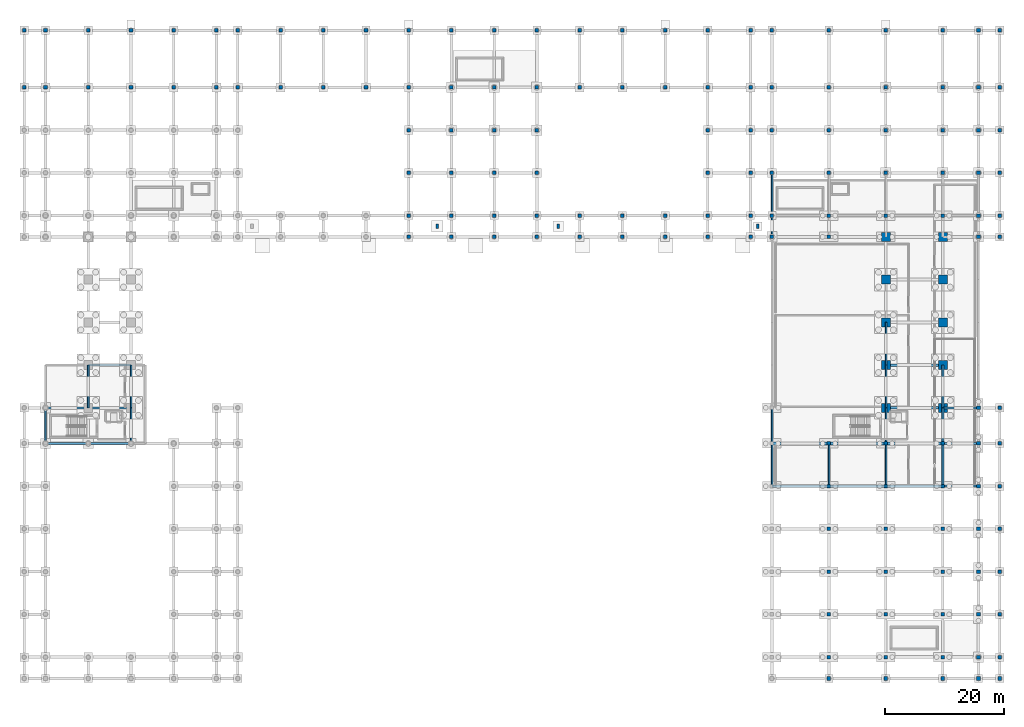
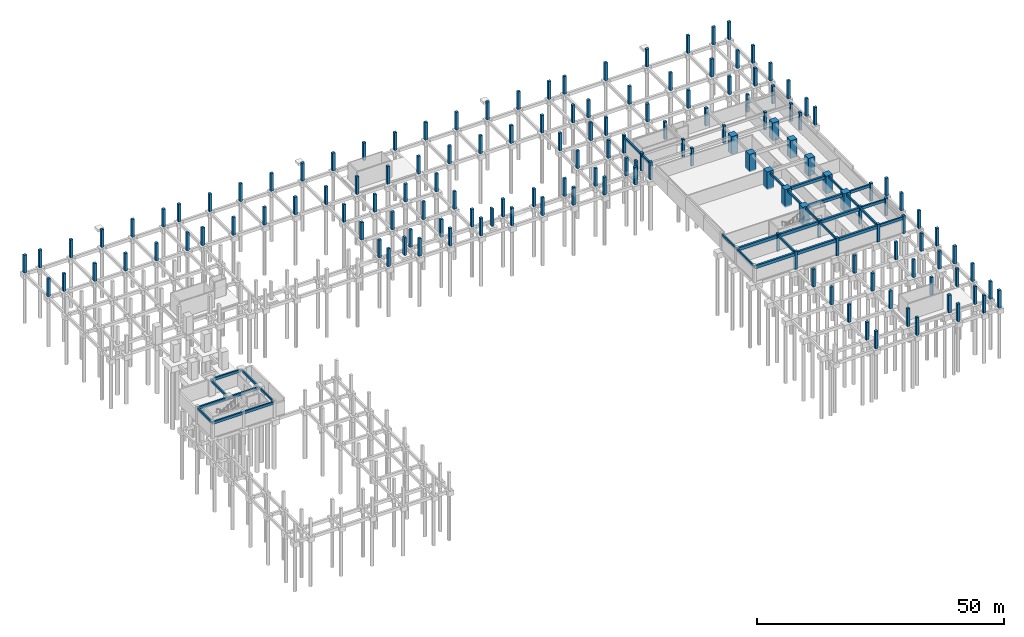
# One storey, part 12 of 20: 152 columns, 32 beams.
"""IFC4 building model written with IfcOpenShell, lengths in metres."""

from ifc_helpers import new_model, si_unit, direction, frame, origin, origin_2d, place, context, subcontext, project, spatial, rectangle, extrude, material, material_profile, profile_set, type_object, element, save


model = new_model("IFC4")

# Units and contexts
model_context = context("Model", 3, precision=1e-05, world=origin(), true_north=direction((0.0, 1.0)))
body_context = subcontext(model_context, "Body", "Model", "MODEL_VIEW")
ifc_project = project(units=[si_unit("LENGTHUNIT", "METRE"), si_unit("AREAUNIT", "SQUARE_METRE"), si_unit("VOLUMEUNIT", "CUBIC_METRE"), si_unit("PLANEANGLEUNIT", "RADIAN"), si_unit("MASSUNIT", "GRAM", prefix="KILO")], contexts=[model_context])

# Site, building, storey
site_placement = place(None, origin())
site = spatial("IfcSite", under=ifc_project, at=site_placement, CompositionType="ELEMENT")
building_placement = place(site_placement, origin())
building = spatial("IfcBuilding", under=site, at=building_placement, Name="Nzembalo Square Collegiate School", CompositionType="ELEMENT")
storey_placement = place(building_placement, frame((0.0, 0.0, -4.080078125)))
storey = spatial("IfcBuildingStorey", under=building, at=storey_placement, Name="B1", CompositionType="ELEMENT", Elevation=-4.080078125)

# Columns
ifc_material_1 = material(Name="Concrete C40/50", Category="concrete")
ifc_material_profile_1 = material_profile(ifc_material_1, rectangle(XDim=1.5, YDim=1.5, at=origin_2d()), Name="RC 1500x1500")
ifc_profile_set_1 = profile_set([ifc_material_profile_1], Name="Concrete C40/50")
column_type_1 = type_object("IfcColumnType", Name="C01", PredefinedType="COLUMN", material=ifc_profile_set_1)
for number, where, z_axis, x_axis, name in (
    (1, (150.0, 50.39990234375, -0.2998046875), (0.0, 0.0, 1.0), (1.0, 0.0, 0.0), "Column C01 B1 22/H"),
    (2, (150.0, 57.60009765625, -0.2998046875), (0.0, 0.0, 1.0), (1.0, 0.0, 0.0), "Column C01 B1 22/I"),
    (3, (150.0, 64.800048828125, -0.2998046875), (0.0, 0.0, 1.0), (1.0, 0.0, 0.0), "Column C01 B1 22/J"),
    (4, (150.0, 72.0, -0.2998046875), (0.0, 0.0, 1.0), (1.0, 0.0, 0.0), "Column C01 B1 22/K"),
    (5, (150.0, 79.199951171875, -0.2998046875), (0.0, 0.0, 1.0), (1.0, 0.0, 0.0), "Column C01 B1 22/L"),
    (6, (159.60009765625, 50.39990234375, -0.2998046875), (0.0, 0.0, 1.0), (1.0, 0.0, 0.0), "Column C01 B1 23/H"),
    (7, (159.60009765625, 57.60009765625, -0.2998046875), (0.0, 0.0, 1.0), (1.0, 0.0, 0.0), "Column C01 B1 23/I"),
    (8, (159.60009765625, 64.800048828125, -0.2998046875), (0.0, 0.0, 1.0), (1.0, 0.0, 0.0), "Column C01 B1 23/J"),
    (9, (159.60009765625, 72.0, -0.2998046875), (0.0, 0.0, 1.0), (1.0, 0.0, 0.0), "Column C01 B1 23/K"),
    (10, (159.60009765625, 79.199951171875, -0.2998046875), (0.0, 0.0, 1.0), (1.0, 0.0, 0.0), "Column C01 B1 23/L"),
):
    element("IfcColumn", number, at=place(storey_placement, frame(where, z_axis=z_axis, x_axis=x_axis)), inside=storey, type_object=column_type_1, Name=name, PredefinedType="COLUMN", context=body_context, shape_type="SweptSolid", body=[
        extrude(rectangle(XDim=1.5, YDim=1.5, at=origin_2d()), origin(), (0.0, 0.0, 1.0), 4.3798828125),
    ])
ifc_material_2 = material(Name="Concrete C35/45", Category="concrete")
ifc_material_profile_2 = material_profile(ifc_material_2, rectangle(XDim=0.60009765625, YDim=0.60009765625, at=origin_2d()), Name="RC 600x600")
ifc_profile_set_2 = profile_set([ifc_material_profile_2], Name="Concrete C35/45")
column_type_2 = type_object("IfcColumnType", Name="C03", PredefinedType="COLUMN", material=ifc_profile_set_2)
for number, where, z_axis, x_axis, name in (
    (11, (4.800048828125, 104.39990234375, -0.2998046875), (0.0, 0.0, 1.0), (1.0, 0.0, 0.0), "Column C03 B1 1/P"),
    (12, (4.800048828125, 114.0, -0.2998046875), (0.0, 0.0, 1.0), (1.0, 0.0, 0.0), "Column C03 B1 1/Q"),
    (13, (62.39990234375, 104.39990234375, -0.2998046875), (0.0, 0.0, 1.0), (1.0, 0.0, 0.0), "Column C03 B1 10/P"),
    (14, (62.39990234375, 114.0, -0.2998046875), (0.0, 0.0, 1.0), (1.0, 0.0, 0.0), "Column C03 B1 10/Q"),
    (15, (69.60009765625, 79.199951171875, -0.2998046875), (0.0, 0.0, 1.0), (1.0, 0.0, 0.0), "Column C03 B1 11/L"),
    (16, (69.60009765625, 82.800048828125, -0.2998046875), (0.0, 0.0, 1.0), (1.0, 0.0, 0.0), "Column C03 B1 11/M"),
    (17, (69.60009765625, 90.0, -0.2998046875), (0.0, 0.0, 1.0), (1.0, 0.0, 0.0), "Column C03 B1 11/N"),
    (18, (69.60009765625, 97.199951171875, -0.2998046875), (0.0, 0.0, 1.0), (1.0, 0.0, 0.0), "Column C03 B1 11/O"),
    (19, (69.60009765625, 104.39990234375, -0.2998046875), (0.0, 0.0, 1.0), (1.0, 0.0, 0.0), "Column C03 B1 11/P"),
    (20, (69.60009765625, 114.0, -0.2998046875), (0.0, 0.0, 1.0), (1.0, 0.0, 0.0), "Column C03 B1 11/Q"),
    (21, (76.800048828125, 79.199951171875, -0.2998046875), (0.0, 0.0, 1.0), (1.0, 0.0, 0.0), "Column C03 B1 12/L"),
    (22, (76.800048828125, 82.800048828125, -0.2998046875), (0.0, 0.0, 1.0), (1.0, 0.0, 0.0), "Column C03 B1 12/M"),
    (23, (76.800048828125, 90.0, -0.2998046875), (0.0, 0.0, 1.0), (1.0, 0.0, 0.0), "Column C03 B1 12/N"),
    (24, (76.800048828125, 97.199951171875, -0.2998046875), (0.0, 0.0, 1.0), (1.0, 0.0, 0.0), "Column C03 B1 12/O"),
    (25, (76.800048828125, 104.39990234375, -0.2998046875), (0.0, 0.0, 1.0), (1.0, 0.0, 0.0), "Column C03 B1 12/P"),
    (26, (76.800048828125, 114.0, -0.2998046875), (0.0, 0.0, 1.0), (1.0, 0.0, 0.0), "Column C03 B1 12/Q"),
    (27, (84.0, 79.199951171875, -0.2998046875), (0.0, 0.0, 1.0), (1.0, 0.0, 0.0), "Column C03 B1 13/L"),
    (28, (84.0, 82.800048828125, -0.2998046875), (0.0, 0.0, 1.0), (1.0, 0.0, 0.0), "Column C03 B1 13/M"),
    (29, (84.0, 90.0, -0.2998046875), (0.0, 0.0, 1.0), (1.0, 0.0, 0.0), "Column C03 B1 13/N"),
    (30, (84.0, 97.199951171875, -0.2998046875), (0.0, 0.0, 1.0), (1.0, 0.0, 0.0), "Column C03 B1 13/O"),
    (31, (84.0, 104.39990234375, -0.2998046875), (0.0, 0.0, 1.0), (1.0, 0.0, 0.0), "Column C03 B1 13/P"),
    (32, (84.0, 114.0, -0.2998046875), (0.0, 0.0, 1.0), (1.0, 0.0, 0.0), "Column C03 B1 13/Q"),
    (33, (91.199951171875, 79.199951171875, -0.2998046875), (0.0, 0.0, 1.0), (1.0, 0.0, 0.0), "Column C03 B1 14/L"),
    (34, (91.199951171875, 82.800048828125, -0.2998046875), (0.0, 0.0, 1.0), (1.0, 0.0, 0.0), "Column C03 B1 14/M"),
    (35, (91.199951171875, 90.0, -0.2998046875), (0.0, 0.0, 1.0), (1.0, 0.0, 0.0), "Column C03 B1 14/N"),
    (36, (91.199951171875, 97.199951171875, -0.2998046875), (0.0, 0.0, 1.0), (1.0, 0.0, 0.0), "Column C03 B1 14/O"),
    (37, (91.199951171875, 104.39990234375, -0.2998046875), (0.0, 0.0, 1.0), (1.0, 0.0, 0.0), "Column C03 B1 14/P"),
    (38, (91.199951171875, 114.0, -0.2998046875), (0.0, 0.0, 1.0), (1.0, 0.0, 0.0), "Column C03 B1 14/Q"),
    (39, (98.39990234375, 79.199951171875, -0.2998046875), (0.0, 0.0, 1.0), (1.0, 0.0, 0.0), "Column C03 B1 15/L"),
    (40, (98.39990234375, 82.800048828125, -0.2998046875), (0.0, 0.0, 1.0), (1.0, 0.0, 0.0), "Column C03 B1 15/M"),
    (41, (98.39990234375, 104.39990234375, -0.2998046875), (0.0, 0.0, 1.0), (1.0, 0.0, 0.0), "Column C03 B1 15/P"),
    (42, (98.39990234375, 114.0, -0.2998046875), (0.0, 0.0, 1.0), (1.0, 0.0, 0.0), "Column C03 B1 15/Q"),
    (43, (105.60009765625, 79.199951171875, -0.2998046875), (0.0, 0.0, 1.0), (1.0, 0.0, 0.0), "Column C03 B1 16/L"),
    (44, (105.60009765625, 82.800048828125, -0.2998046875), (0.0, 0.0, 1.0), (1.0, 0.0, 0.0), "Column C03 B1 16/M"),
    (45, (105.60009765625, 104.39990234375, -0.2998046875), (0.0, 0.0, 1.0), (1.0, 0.0, 0.0), "Column C03 B1 16/P"),
    (46, (105.60009765625, 114.0, -0.2998046875), (0.0, 0.0, 1.0), (1.0, 0.0, 0.0), "Column C03 B1 16/Q"),
    (47, (112.800048828125, 79.199951171875, -0.2998046875), (0.0, 0.0, 1.0), (1.0, 0.0, 0.0), "Column C03 B1 17/L"),
    (48, (112.800048828125, 82.800048828125, -0.2998046875), (0.0, 0.0, 1.0), (1.0, 0.0, 0.0), "Column C03 B1 17/M"),
    (49, (112.800048828125, 104.39990234375, -0.2998046875), (0.0, 0.0, 1.0), (1.0, 0.0, 0.0), "Column C03 B1 17/P"),
    (50, (112.800048828125, 114.0, -0.2998046875), (0.0, 0.0, 1.0), (1.0, 0.0, 0.0), "Column C03 B1 17/Q"),
    (51, (120.0, 79.199951171875, -0.2998046875), (0.0, 0.0, 1.0), (1.0, 0.0, 0.0), "Column C03 B1 18/L"),
    (52, (120.0, 82.800048828125, -0.2998046875), (0.0, 0.0, 1.0), (1.0, 0.0, 0.0), "Column C03 B1 18/M"),
    (53, (120.0, 90.0, -0.2998046875), (0.0, 0.0, 1.0), (1.0, 0.0, 0.0), "Column C03 B1 18/N"),
    (54, (120.0, 97.199951171875, -0.2998046875), (0.0, 0.0, 1.0), (1.0, 0.0, 0.0), "Column C03 B1 18/O"),
    (55, (120.0, 104.39990234375, -0.2998046875), (0.0, 0.0, 1.0), (1.0, 0.0, 0.0), "Column C03 B1 18/P"),
    (56, (120.0, 114.0, -0.2998046875), (0.0, 0.0, 1.0), (1.0, 0.0, 0.0), "Column C03 B1 18/Q"),
    (57, (127.199951171875, 79.199951171875, -0.2998046875), (0.0, 0.0, 1.0), (1.0, 0.0, 0.0), "Column C03 B1 19/L"),
    (58, (127.199951171875, 82.800048828125, -0.2998046875), (0.0, 0.0, 1.0), (1.0, 0.0, 0.0), "Column C03 B1 19/M"),
    (59, (127.199951171875, 90.0, -0.2998046875), (0.0, 0.0, 1.0), (1.0, 0.0, 0.0), "Column C03 B1 19/N"),
    (60, (127.199951171875, 97.199951171875, -0.2998046875), (0.0, 0.0, 1.0), (1.0, 0.0, 0.0), "Column C03 B1 19/O"),
    (61, (127.199951171875, 104.39990234375, -0.2998046875), (0.0, 0.0, 1.0), (1.0, 0.0, 0.0), "Column C03 B1 19/P"),
    (62, (127.199951171875, 114.0, -0.2998046875), (0.0, 0.0, 1.0), (1.0, 0.0, 0.0), "Column C03 B1 19/Q"),
    (63, (8.39990234375, 104.39990234375, -0.2998046875), (0.0, 0.0, 1.0), (1.0, 0.0, 0.0), "Column C03 B1 2/P"),
    (64, (8.39990234375, 114.0, -0.2998046875), (0.0, 0.0, 1.0), (1.0, 0.0, 0.0), "Column C03 B1 2/Q"),
    (65, (130.800048828125, 79.199951171875, -0.2998046875), (0.0, 0.0, 1.0), (1.0, 0.0, 0.0), "Column C03 B1 20/L"),
    (66, (130.800048828125, 82.800048828125, -0.2998046875), (0.0, 0.0, 1.0), (1.0, 0.0, 0.0), "Column C03 B1 20/M"),
    (67, (130.800048828125, 90.0, -0.2998046875), (0.0, 0.0, 1.0), (1.0, 0.0, 0.0), "Column C03 B1 20/N"),
    (68, (130.800048828125, 97.199951171875, -0.2998046875), (0.0, 0.0, 1.0), (1.0, 0.0, 0.0), "Column C03 B1 20/O"),
    (69, (130.800048828125, 104.39990234375, -0.2998046875), (0.0, 0.0, 1.0), (1.0, 0.0, 0.0), "Column C03 B1 20/P"),
    (70, (130.800048828125, 114.0, -0.2998046875), (0.0, 0.0, 1.0), (1.0, 0.0, 0.0), "Column C03 B1 20/Q"),
    (71, (140.39990234375, 4.800048828125, -0.2998046875), (0.0, 0.0, 1.0), (1.0, 0.0, 0.0), "Column C03 B1 21/A"),
    (72, (140.39990234375, 8.39990234375, -0.2998046875), (0.0, 0.0, 1.0), (1.0, 0.0, 0.0), "Column C03 B1 21/B"),
    (73, (140.39990234375, 15.60009765625, -0.2998046875), (0.0, 0.0, 1.0), (1.0, 0.0, 0.0), "Column C03 B1 21/C"),
    (74, (140.39990234375, 22.800048828125, -0.2998046875), (0.0, 0.0, 1.0), (1.0, 0.0, 0.0), "Column C03 B1 21/D"),
    (75, (140.39990234375, 30.0, -0.2998046875), (0.0, 0.0, 1.0), (1.0, 0.0, 0.0), "Column C03 B1 21/E"),
    (76, (140.39990234375, 37.199951171875, -0.2998046875), (0.0, 0.0, 1.0), (1.0, 0.0, 0.0), "Column C03 B1 21/F"),
    (77, (140.39990234375, 44.39990234375, -0.2998046875), (0.0, 0.0, 1.0), (1.0, 0.0, 0.0), "Column C03 B1 21/G"),
    (78, (140.39990234375, 79.199951171875, -0.2998046875), (0.0, 0.0, 1.0), (1.0, 0.0, 0.0), "Column C03 B1 21/L"),
    (79, (140.39990234375, 82.800048828125, -0.2998046875), (0.0, 0.0, 1.0), (1.0, 0.0, 0.0), "Column C03 B1 21/M"),
    (80, (140.39990234375, 90.0, -0.2998046875), (0.0, 0.0, 1.0), (1.0, 0.0, 0.0), "Column C03 B1 21/N"),
    (81, (140.39990234375, 97.199951171875, -0.2998046875), (0.0, 0.0, 1.0), (1.0, 0.0, 0.0), "Column C03 B1 21/O"),
    (82, (140.39990234375, 104.39990234375, -0.2998046875), (0.0, 0.0, 1.0), (1.0, 0.0, 0.0), "Column C03 B1 21/P"),
    (83, (140.39990234375, 114.0, -0.2998046875), (0.0, 0.0, 1.0), (1.0, 0.0, 0.0), "Column C03 B1 21/Q"),
    (84, (150.0, 4.800048828125, -0.2998046875), (0.0, 0.0, 1.0), (1.0, 0.0, 0.0), "Column C03 B1 22/A"),
    (85, (150.0, 8.39990234375, -0.2998046875), (0.0, 0.0, 1.0), (1.0, 0.0, 0.0), "Column C03 B1 22/B"),
    (86, (150.0, 15.60009765625, -0.2998046875), (0.0, 0.0, 1.0), (1.0, 0.0, 0.0), "Column C03 B1 22/C"),
    (87, (150.0, 22.800048828125, -0.2998046875), (0.0, 0.0, 1.0), (1.0, 0.0, 0.0), "Column C03 B1 22/D"),
    (88, (150.0, 30.0, -0.2998046875), (0.0, 0.0, 1.0), (1.0, 0.0, 0.0), "Column C03 B1 22/E"),
    (89, (150.0, 37.199951171875, -0.2998046875), (0.0, 0.0, 1.0), (1.0, 0.0, 0.0), "Column C03 B1 22/F"),
    (90, (150.0, 44.39990234375, -0.2998046875), (0.0, 0.0, 1.0), (1.0, 0.0, 0.0), "Column C03 B1 22/G"),
    (91, (150.0, 82.800048828125, -0.2998046875), (0.0, 0.0, 1.0), (1.0, 0.0, 0.0), "Column C03 B1 22/M"),
    (92, (150.0, 90.0, -0.2998046875), (0.0, 0.0, 1.0), (1.0, 0.0, 0.0), "Column C03 B1 22/N"),
    (93, (150.0, 97.199951171875, -0.2998046875), (0.0, 0.0, 1.0), (1.0, 0.0, 0.0), "Column C03 B1 22/O"),
    (94, (150.0, 104.39990234375, -0.2998046875), (0.0, 0.0, 1.0), (1.0, 0.0, 0.0), "Column C03 B1 22/P"),
    (95, (150.0, 114.0, -0.2998046875), (0.0, 0.0, 1.0), (1.0, 0.0, 0.0), "Column C03 B1 22/Q"),
    (96, (159.60009765625, 4.800048828125, -0.2998046875), (0.0, 0.0, 1.0), (1.0, 0.0, 0.0), "Column C03 B1 23/A"),
    (97, (159.60009765625, 8.39990234375, -0.2998046875), (0.0, 0.0, 1.0), (1.0, 0.0, 0.0), "Column C03 B1 23/B"),
    (98, (159.60009765625, 15.60009765625, -0.2998046875), (0.0, 0.0, 1.0), (1.0, 0.0, 0.0), "Column C03 B1 23/C"),
    (99, (159.60009765625, 22.800048828125, -0.2998046875), (0.0, 0.0, 1.0), (1.0, 0.0, 0.0), "Column C03 B1 23/D"),
    (100, (159.60009765625, 30.0, -0.2998046875), (0.0, 0.0, 1.0), (1.0, 0.0, 0.0), "Column C03 B1 23/E"),
    (101, (159.60009765625, 37.199951171875, -0.2998046875), (0.0, 0.0, 1.0), (1.0, 0.0, 0.0), "Column C03 B1 23/F"),
    (102, (159.60009765625, 44.39990234375, -0.2998046875), (0.0, 0.0, 1.0), (1.0, 0.0, 0.0), "Column C03 B1 23/G"),
    (103, (159.60009765625, 82.800048828125, -0.2998046875), (0.0, 0.0, 1.0), (1.0, 0.0, 0.0), "Column C03 B1 23/M"),
    (104, (159.60009765625, 90.0, -0.2998046875), (0.0, 0.0, 1.0), (1.0, 0.0, 0.0), "Column C03 B1 23/N"),
    (105, (159.60009765625, 97.199951171875, -0.2998046875), (0.0, 0.0, 1.0), (1.0, 0.0, 0.0), "Column C03 B1 23/O"),
    (106, (159.60009765625, 104.39990234375, -0.2998046875), (0.0, 0.0, 1.0), (1.0, 0.0, 0.0), "Column C03 B1 23/P"),
    (107, (159.60009765625, 114.0, -0.2998046875), (0.0, 0.0, 1.0), (1.0, 0.0, 0.0), "Column C03 B1 23/Q"),
    (108, (165.60009765625, 4.800048828125, -0.2998046875), (0.0, 0.0, 1.0), (1.0, 0.0, 0.0), "Column C03 B1 24/A"),
    (109, (165.60009765625, 8.39990234375, -0.2998046875), (0.0, 0.0, 1.0), (1.0, 0.0, 0.0), "Column C03 B1 24/B"),
    (110, (165.60009765625, 15.60009765625, -0.2998046875), (0.0, 0.0, 1.0), (1.0, 0.0, 0.0), "Column C03 B1 24/C"),
    (111, (165.60009765625, 22.800048828125, -0.2998046875), (0.0, 0.0, 1.0), (1.0, 0.0, 0.0), "Column C03 B1 24/D"),
    (112, (165.60009765625, 30.0, -0.2998046875), (0.0, 0.0, 1.0), (1.0, 0.0, 0.0), "Column C03 B1 24/E"),
    (113, (165.60009765625, 37.199951171875, -0.2998046875), (0.0, 0.0, 1.0), (1.0, 0.0, 0.0), "Column C03 B1 24/F"),
    (114, (165.60009765625, 44.39990234375, -0.2998046875), (0.0, 0.0, 1.0), (1.0, 0.0, 0.0), "Column C03 B1 24/G"),
    (115, (165.60009765625, 50.39990234375, -0.2998046875), (0.0, 0.0, 1.0), (1.0, 0.0, 0.0), "Column C03 B1 24/H"),
    (116, (165.60009765625, 79.199951171875, -0.2998046875), (0.0, 0.0, 1.0), (1.0, 0.0, 0.0), "Column C03 B1 24/L"),
    (117, (165.60009765625, 82.800048828125, -0.2998046875), (0.0, 0.0, 1.0), (1.0, 0.0, 0.0), "Column C03 B1 24/M"),
    (118, (165.60009765625, 90.0, -0.2998046875), (0.0, 0.0, 1.0), (1.0, 0.0, 0.0), "Column C03 B1 24/N"),
    (119, (165.60009765625, 97.199951171875, -0.2998046875), (0.0, 0.0, 1.0), (1.0, 0.0, 0.0), "Column C03 B1 24/O"),
    (120, (165.60009765625, 104.39990234375, -0.2998046875), (0.0, 0.0, 1.0), (1.0, 0.0, 0.0), "Column C03 B1 24/P"),
    (121, (165.60009765625, 114.0, -0.2998046875), (0.0, 0.0, 1.0), (1.0, 0.0, 0.0), "Column C03 B1 24/Q"),
    (122, (169.199951171875, 4.800048828125, -0.2998046875), (0.0, 0.0, 1.0), (1.0, 0.0, 0.0), "Column C03 B1 25/A"),
    (123, (169.199951171875, 8.39990234375, -0.2998046875), (0.0, 0.0, 1.0), (1.0, 0.0, 0.0), "Column C03 B1 25/B"),
    (124, (169.199951171875, 15.60009765625, -0.2998046875), (0.0, 0.0, 1.0), (1.0, 0.0, 0.0), "Column C03 B1 25/C"),
    (125, (169.199951171875, 22.800048828125, -0.2998046875), (0.0, 0.0, 1.0), (1.0, 0.0, 0.0), "Column C03 B1 25/D"),
    (126, (169.199951171875, 30.0, -0.2998046875), (0.0, 0.0, 1.0), (1.0, 0.0, 0.0), "Column C03 B1 25/E"),
    (127, (169.199951171875, 37.199951171875, -0.2998046875), (0.0, 0.0, 1.0), (1.0, 0.0, 0.0), "Column C03 B1 25/F"),
    (128, (169.199951171875, 44.39990234375, -0.2998046875), (0.0, 0.0, 1.0), (1.0, 0.0, 0.0), "Column C03 B1 25/G"),
    (129, (169.199951171875, 50.39990234375, -0.2998046875), (0.0, 0.0, 1.0), (1.0, 0.0, 0.0), "Column C03 B1 25/H"),
    (130, (169.199951171875, 79.199951171875, -0.2998046875), (0.0, 0.0, 1.0), (1.0, 0.0, 0.0), "Column C03 B1 25/L"),
    (131, (169.199951171875, 82.800048828125, -0.2998046875), (0.0, 0.0, 1.0), (1.0, 0.0, 0.0), "Column C03 B1 25/M"),
    (132, (169.199951171875, 90.0, -0.2998046875), (0.0, 0.0, 1.0), (1.0, 0.0, 0.0), "Column C03 B1 25/N"),
    (133, (169.199951171875, 97.199951171875, -0.2998046875), (0.0, 0.0, 1.0), (1.0, 0.0, 0.0), "Column C03 B1 25/O"),
    (134, (169.199951171875, 104.39990234375, -0.2998046875), (0.0, 0.0, 1.0), (1.0, 0.0, 0.0), "Column C03 B1 25/P"),
    (135, (169.199951171875, 114.0, -0.2998046875), (0.0, 0.0, 1.0), (1.0, 0.0, 0.0), "Column C03 B1 25/Q"),
    (136, (15.60009765625, 104.39990234375, -0.2998046875), (0.0, 0.0, 1.0), (1.0, 0.0, 0.0), "Column C03 B1 3/P"),
    (137, (15.60009765625, 114.0, -0.2998046875), (0.0, 0.0, 1.0), (1.0, 0.0, 0.0), "Column C03 B1 3/Q"),
    (138, (22.800048828125, 104.39990234375, -0.2998046875), (0.0, 0.0, 1.0), (1.0, 0.0, 0.0), "Column C03 B1 4/P"),
    (139, (22.800048828125, 114.0, -0.2998046875), (0.0, 0.0, 1.0), (1.0, 0.0, 0.0), "Column C03 B1 4/Q"),
    (140, (30.0, 104.39990234375, -0.2998046875), (0.0, 0.0, 1.0), (1.0, 0.0, 0.0), "Column C03 B1 5/P"),
    (141, (30.0, 114.0, -0.2998046875), (0.0, 0.0, 1.0), (1.0, 0.0, 0.0), "Column C03 B1 5/Q"),
    (142, (37.199951171875, 104.39990234375, -0.2998046875), (0.0, 0.0, 1.0), (1.0, 0.0, 0.0), "Column C03 B1 6/P"),
    (143, (37.199951171875, 114.0, -0.2998046875), (0.0, 0.0, 1.0), (1.0, 0.0, 0.0), "Column C03 B1 6/Q"),
    (144, (40.800048828125, 104.39990234375, -0.2998046875), (0.0, 0.0, 1.0), (1.0, 0.0, 0.0), "Column C03 B1 7/P"),
    (145, (40.800048828125, 114.0, -0.2998046875), (0.0, 0.0, 1.0), (1.0, 0.0, 0.0), "Column C03 B1 7/Q"),
    (146, (48.0, 104.39990234375, -0.2998046875), (0.0, 0.0, 1.0), (1.0, 0.0, 0.0), "Column C03 B1 8/P"),
    (147, (48.0, 114.0, -0.2998046875), (0.0, 0.0, 1.0), (1.0, 0.0, 0.0), "Column C03 B1 8/Q"),
    (148, (55.199951171875, 104.39990234375, -0.2998046875), (0.0, 0.0, 1.0), (1.0, 0.0, 0.0), "Column C03 B1 9/P"),
    (149, (55.199951171875, 114.0, -0.2998046875), (0.0, 0.0, 1.0), (1.0, 0.0, 0.0), "Column C03 B1 9/Q"),
):
    element("IfcColumn", number, at=place(storey_placement, frame(where, z_axis=z_axis, x_axis=x_axis)), inside=storey, type_object=column_type_2, Name=name, PredefinedType="COLUMN", context=body_context, shape_type="SweptSolid", body=[
        extrude(rectangle(XDim=0.60009765625, YDim=0.60009765625, at=origin_2d()), origin(), (0.0, 0.0, 1.0), 4.3798828125),
    ])
ifc_material_3 = material(Name="Concrete C35/45", Category="concrete")
ifc_material_profile_3 = material_profile(ifc_material_3, rectangle(XDim=0.449951171875, YDim=0.75, at=origin_2d()), Name="RC 450x750")
ifc_profile_set_3 = profile_set([ifc_material_profile_3], Name="Concrete C35/45")
column_type_3 = type_object("IfcColumnType", Name="CP01", PredefinedType="PILASTER", material=ifc_profile_set_3)
for number, where, z_axis, x_axis, name in (
    (150, (74.39990234375, 81.0, -0.2998046875), (0.0, 0.0, 1.0), (1.0, 0.0, 0.0), "Portal plinth pier CP01 B1 PF2"),
    (151, (94.800048828125, 81.0, -0.2998046875), (0.0, 0.0, 1.0), (1.0, 0.0, 0.0), "Portal plinth pier CP01 B1 PF3"),
    (152, (128.39990234375, 81.0, -0.2998046875), (0.0, 0.0, 1.0), (1.0, 0.0, 0.0), "Portal plinth pier CP01 B1 PF4"),
):
    element("IfcColumn", number, at=place(storey_placement, frame(where, z_axis=z_axis, x_axis=x_axis)), inside=storey, type_object=column_type_3, Name=name, PredefinedType="PILASTER", context=body_context, shape_type="SweptSolid", body=[
        extrude(rectangle(XDim=0.449951171875, YDim=0.75, at=origin_2d()), origin(), (0.0, 0.0, 1.0), 4.3798828125),
    ])

# Beams
ifc_material_4 = material(Name="Concrete C35/45", Category="concrete")
ifc_material_profile_4 = material_profile(ifc_material_4, rectangle(XDim=0.35009765625, YDim=0.64990234375, at=origin_2d()), Name="RC 350x650")
ifc_profile_set_4 = profile_set([ifc_material_profile_4], Name="Concrete C35/45")
beam_type_1 = type_object("IfcBeamType", Name="B01", PredefinedType="BEAM", material=ifc_profile_set_4)
beam_1_placement = place(storey_placement, frame((159.60009765625, 37.199951171875, 3.469970703125), z_axis=(1.0, 0.0, 0.0), x_axis=(0.0, 1.0, 0.0)))
element("IfcBeam", 153, at=beam_1_placement, inside=storey, type_object=beam_type_1, Name="Beam B01 B1", PredefinedType="BEAM", context=body_context, shape_type="SweptSolid", body=[
    extrude(rectangle(XDim=0.35009765625, YDim=0.64990234375, at=origin_2d()), origin(), (0.0, 0.0, 1.0), 6.0),
])
beam_2_placement = place(storey_placement, frame((8.39990234375, 44.39990234375, 3.469970703125), z_axis=(1.0, 0.0, 0.0), x_axis=(0.0, 1.0, 0.0)))
element("IfcBeam", 154, at=beam_2_placement, inside=storey, type_object=beam_type_1, Name="Beam B01 B1", PredefinedType="BEAM", context=body_context, shape_type="SweptSolid", body=[
    extrude(rectangle(XDim=0.35009765625, YDim=0.64990234375, at=origin_2d()), origin(), (0.0, 0.0, 1.0), 7.2001953125),
])
beam_3_placement = place(storey_placement, frame((15.60009765625, 44.39990234375, 3.469970703125), z_axis=(1.0, 0.0, 0.0), x_axis=(0.0, 1.0, 0.0)))
element("IfcBeam", 155, at=beam_3_placement, inside=storey, type_object=beam_type_1, Name="Beam B01 B1", PredefinedType="BEAM", context=body_context, shape_type="SweptSolid", body=[
    extrude(rectangle(XDim=0.35009765625, YDim=0.64990234375, at=origin_2d()), origin(), (0.0, 0.0, 1.0), 7.199951171875),
])
beam_4_placement = place(storey_placement, frame((159.60009765625, 44.39990234375, 3.469970703125), z_axis=(1.0, 0.0, 0.0), x_axis=(0.0, 1.0, 0.0)))
element("IfcBeam", 156, at=beam_4_placement, inside=storey, type_object=beam_type_1, Name="Beam B01 B1", PredefinedType="BEAM", context=body_context, shape_type="SweptSolid", body=[
    extrude(rectangle(XDim=0.35009765625, YDim=0.64990234375, at=origin_2d()), origin(), (0.0, 0.0, 1.0), 6.0),
])
beam_5_placement = place(storey_placement, frame((8.39990234375, 50.39990234375, 3.469970703125), z_axis=(1.0, 0.0, 0.0), x_axis=(0.0, 1.0, 0.0)))
element("IfcBeam", 157, at=beam_5_placement, inside=storey, type_object=beam_type_1, Name="Beam B01 B1", PredefinedType="BEAM", context=body_context, shape_type="SweptSolid", body=[
    extrude(rectangle(XDim=0.35009765625, YDim=0.64990234375, at=origin_2d()), origin(), (0.0, 0.0, 1.0), 7.2001953125),
])
beam_6_placement = place(storey_placement, frame((15.60009765625, 50.39990234375, 3.469970703125), z_axis=(1.0, 0.0, 0.0), x_axis=(0.0, 1.0, 0.0)))
element("IfcBeam", 158, at=beam_6_placement, inside=storey, type_object=beam_type_1, Name="Beam B01 B1", PredefinedType="BEAM", context=body_context, shape_type="SweptSolid", body=[
    extrude(rectangle(XDim=0.35009765625, YDim=0.64990234375, at=origin_2d()), origin(), (0.0, 0.0, 1.0), 7.199951171875),
])
beam_7_placement = place(storey_placement, frame((159.60009765625, 50.39990234375, 3.469970703125), z_axis=(1.0, 0.0, 0.0), x_axis=(0.0, 1.0, 0.0)))
element("IfcBeam", 159, at=beam_7_placement, inside=storey, type_object=beam_type_1, Name="Beam B01 B1", PredefinedType="BEAM", context=body_context, shape_type="SweptSolid", body=[
    extrude(rectangle(XDim=0.35009765625, YDim=0.64990234375, at=origin_2d()), origin(), (0.0, 0.0, 1.0), 6.0),
])
beam_8_placement = place(storey_placement, frame((15.60009765625, 57.60009765625, 3.469970703125), z_axis=(1.0, 0.0, 0.0), x_axis=(0.0, 1.0, 0.0)))
element("IfcBeam", 160, at=beam_8_placement, inside=storey, type_object=beam_type_1, Name="Beam B01 B1", PredefinedType="BEAM", context=body_context, shape_type="SweptSolid", body=[
    extrude(rectangle(XDim=0.35009765625, YDim=0.64990234375, at=origin_2d()), origin(), (0.0, 0.0, 1.0), 7.199951171875),
])
ifc_material_5 = material(Name="Concrete C35/45", Category="concrete")
ifc_material_profile_5 = material_profile(ifc_material_5, rectangle(XDim=0.300048828125, YDim=0.5, at=origin_2d()), Name="RC 300x500")
ifc_profile_set_5 = profile_set([ifc_material_profile_5], Name="Concrete C35/45")
beam_type_2 = type_object("IfcBeamType", Name="B02", PredefinedType="BEAM", material=ifc_profile_set_5)
beam_9_placement = place(storey_placement, frame((15.60009765625, 50.39990234375, 3.545166015625), z_axis=(0.0, 1.0, 0.0), x_axis=(-1.0, 0.0, 0.0)))
element("IfcBeam", 161, at=beam_9_placement, inside=storey, type_object=beam_type_2, Name="Beam B02 B1", PredefinedType="BEAM", context=body_context, shape_type="SweptSolid", body=[
    extrude(rectangle(XDim=0.300048828125, YDim=0.5, at=origin_2d()), origin(), (0.0, 0.0, 1.0), 7.2001953125),
])
beam_10_placement = place(storey_placement, frame((22.800048828125, 44.39990234375, 3.545166015625), z_axis=(0.0, 1.0, 0.0), x_axis=(-1.0, 0.0, 0.0)))
element("IfcBeam", 162, at=beam_10_placement, inside=storey, type_object=beam_type_2, Name="Beam B02 B1", PredefinedType="BEAM", context=body_context, shape_type="SweptSolid", body=[
    extrude(rectangle(XDim=0.300048828125, YDim=0.5, at=origin_2d()), origin(), (0.0, 0.0, 1.0), 6.0),
])
beam_11_placement = place(storey_placement, frame((22.800048828125, 50.39990234375, 3.545166015625), z_axis=(0.0, 1.0, 0.0), x_axis=(-1.0, 0.0, 0.0)))
element("IfcBeam", 163, at=beam_11_placement, inside=storey, type_object=beam_type_2, Name="Beam B02 B1", PredefinedType="BEAM", context=body_context, shape_type="SweptSolid", body=[
    extrude(rectangle(XDim=0.300048828125, YDim=0.5, at=origin_2d()), origin(), (0.0, 0.0, 1.0), 7.2001953125),
])
for number, where, z_axis, x_axis, name in (
    (164, (140.39990234375, 37.199951171875, 3.545166015625), (0.0, 1.0, 0.0), (-1.0, 0.0, 0.0), "Beam B02 B1"),
    (165, (150.0, 37.199951171875, 3.545166015625), (0.0, 1.0, 0.0), (-1.0, 0.0, 0.0), "Beam B02 B1"),
):
    element("IfcBeam", number, at=place(storey_placement, frame(where, z_axis=z_axis, x_axis=x_axis)), inside=storey, type_object=beam_type_2, Name=name, PredefinedType="BEAM", context=body_context, shape_type="SweptSolid", body=[
        extrude(rectangle(XDim=0.300048828125, YDim=0.5, at=origin_2d()), origin(), (0.0, 0.0, 1.0), 7.199951171875),
    ])
beam_12_placement = place(storey_placement, frame((150.0, 44.39990234375, 3.545166015625), z_axis=(0.0, 1.0, 0.0), x_axis=(-1.0, 0.0, 0.0)))
element("IfcBeam", 166, at=beam_12_placement, inside=storey, type_object=beam_type_2, Name="Beam B02 B1", PredefinedType="BEAM", context=body_context, shape_type="SweptSolid", body=[
    extrude(rectangle(XDim=0.300048828125, YDim=0.5, at=origin_2d()), origin(), (0.0, 0.0, 1.0), 6.0),
])
beam_13_placement = place(storey_placement, frame((150.0, 50.39990234375, 3.545166015625), z_axis=(0.0, 1.0, 0.0), x_axis=(-1.0, 0.0, 0.0)))
element("IfcBeam", 167, at=beam_13_placement, inside=storey, type_object=beam_type_2, Name="Beam B02 B1", PredefinedType="BEAM", context=body_context, shape_type="SweptSolid", body=[
    extrude(rectangle(XDim=0.300048828125, YDim=0.5, at=origin_2d()), origin(), (0.0, 0.0, 1.0), 7.2001953125),
])
for number, where, z_axis, x_axis, name in (
    (168, (150.0, 57.60009765625, 3.545166015625), (0.0, 1.0, 0.0), (-1.0, 0.0, 0.0), "Beam B02 B1"),
    (169, (159.60009765625, 37.199951171875, 3.545166015625), (0.0, 1.0, 0.0), (-1.0, 0.0, 0.0), "Beam B02 B1"),
):
    element("IfcBeam", number, at=place(storey_placement, frame(where, z_axis=z_axis, x_axis=x_axis)), inside=storey, type_object=beam_type_2, Name=name, PredefinedType="BEAM", context=body_context, shape_type="SweptSolid", body=[
        extrude(rectangle(XDim=0.300048828125, YDim=0.5, at=origin_2d()), origin(), (0.0, 0.0, 1.0), 7.199951171875),
    ])
beam_14_placement = place(storey_placement, frame((159.60009765625, 44.39990234375, 3.545166015625), z_axis=(0.0, 1.0, 0.0), x_axis=(-1.0, 0.0, 0.0)))
element("IfcBeam", 170, at=beam_14_placement, inside=storey, type_object=beam_type_2, Name="Beam B02 B1", PredefinedType="BEAM", context=body_context, shape_type="SweptSolid", body=[
    extrude(rectangle(XDim=0.300048828125, YDim=0.5, at=origin_2d()), origin(), (0.0, 0.0, 1.0), 6.0),
])
beam_15_placement = place(storey_placement, frame((159.60009765625, 50.39990234375, 3.545166015625), z_axis=(0.0, 1.0, 0.0), x_axis=(-1.0, 0.0, 0.0)))
element("IfcBeam", 171, at=beam_15_placement, inside=storey, type_object=beam_type_2, Name="Beam B02 B1", PredefinedType="BEAM", context=body_context, shape_type="SweptSolid", body=[
    extrude(rectangle(XDim=0.300048828125, YDim=0.5, at=origin_2d()), origin(), (0.0, 0.0, 1.0), 7.2001953125),
])
ifc_material_6 = material(Name="Concrete C35/45", Category="concrete")
ifc_material_profile_6 = material_profile(ifc_material_6, rectangle(XDim=0.300048828125, YDim=0.5, at=origin_2d()), Name="RC 300x500")
ifc_profile_set_6 = profile_set([ifc_material_profile_6], Name="Concrete C35/45")
beam_type_3 = type_object("IfcBeamType", Name="SP01", PredefinedType="SPANDREL", material=ifc_profile_set_6)
beam_16_placement = place(storey_placement, frame((8.39990234375, 44.39990234375, 3.545166015625), z_axis=(0.0, 1.0, 0.0), x_axis=(-1.0, 0.0, 0.0)))
element("IfcBeam", 172, at=beam_16_placement, inside=storey, type_object=beam_type_3, Name="Beam SP01 B1", PredefinedType="SPANDREL", context=body_context, shape_type="SweptSolid", body=[
    extrude(rectangle(XDim=0.300048828125, YDim=0.5, at=origin_2d()), origin(), (0.0, 0.0, 1.0), 6.0),
])
beam_17_placement = place(storey_placement, frame((130.800048828125, 37.199951171875, 3.545166015625), z_axis=(0.0, 1.0, 0.0), x_axis=(-1.0, 0.0, 0.0)))
element("IfcBeam", 173, at=beam_17_placement, inside=storey, type_object=beam_type_3, Name="Beam SP01 B1", PredefinedType="SPANDREL", context=body_context, shape_type="SweptSolid", body=[
    extrude(rectangle(XDim=0.300048828125, YDim=0.5, at=origin_2d()), origin(), (0.0, 0.0, 1.0), 7.199951171875),
])
beam_18_placement = place(storey_placement, frame((130.800048828125, 44.39990234375, 3.545166015625), z_axis=(0.0, 1.0, 0.0), x_axis=(-1.0, 0.0, 0.0)))
element("IfcBeam", 174, at=beam_18_placement, inside=storey, type_object=beam_type_3, Name="Beam SP01 B1", PredefinedType="SPANDREL", context=body_context, shape_type="SweptSolid", body=[
    extrude(rectangle(XDim=0.300048828125, YDim=0.5, at=origin_2d()), origin(), (0.0, 0.0, 1.0), 6.0),
])
beam_19_placement = place(storey_placement, frame((130.800048828125, 79.199951171875, 3.545166015625), z_axis=(0.0, 1.0, 0.0), x_axis=(-1.0, 0.0, 0.0)))
element("IfcBeam", 175, at=beam_19_placement, inside=storey, type_object=beam_type_3, Name="Beam SP01 B1", PredefinedType="SPANDREL", context=body_context, shape_type="SweptSolid", body=[
    extrude(rectangle(XDim=0.300048828125, YDim=0.5, at=origin_2d()), origin(), (0.0, 0.0, 1.0), 3.60009765625),
])
beam_20_placement = place(storey_placement, frame((130.800048828125, 82.800048828125, 3.545166015625), z_axis=(0.0, 1.0, 0.0), x_axis=(-1.0, 0.0, 0.0)))
element("IfcBeam", 176, at=beam_20_placement, inside=storey, type_object=beam_type_3, Name="Beam SP01 B1", PredefinedType="SPANDREL", context=body_context, shape_type="SweptSolid", body=[
    extrude(rectangle(XDim=0.300048828125, YDim=0.5, at=origin_2d()), origin(), (0.0, 0.0, 1.0), 7.199951171875),
])
ifc_material_7 = material(Name="Concrete C35/45", Category="concrete")
ifc_material_profile_7 = material_profile(ifc_material_7, rectangle(XDim=0.449951171875, YDim=0.75, at=origin_2d()), Name="RC 450x750")
ifc_profile_set_7 = profile_set([ifc_material_profile_7], Name="Concrete C35/45")
beam_type_4 = type_object("IfcBeamType", Name="TG01", PredefinedType="BEAM", material=ifc_profile_set_7)
beam_21_placement = place(storey_placement, frame((130.800048828125, 37.199951171875, 3.420166015625), z_axis=(1.0, 0.0, 0.0), x_axis=(0.0, 1.0, 0.0)))
element("IfcBeam", 177, at=beam_21_placement, inside=storey, type_object=beam_type_4, Name="Beam TG01 B1", PredefinedType="BEAM", context=body_context, shape_type="SweptSolid", body=[
    extrude(rectangle(XDim=0.449951171875, YDim=0.75, at=origin_2d()), origin(), (0.0, 0.0, 1.0), 9.599853515625),
])
for number, where, z_axis, x_axis, name in (
    (178, (140.39990234375, 37.199951171875, 3.420166015625), (1.0, 0.0, 0.0), (0.0, 1.0, 0.0), "Beam TG01 B1"),
    (179, (150.0, 37.199951171875, 3.420166015625), (1.0, 0.0, 0.0), (0.0, 1.0, 0.0), "Beam TG01 B1"),
):
    element("IfcBeam", number, at=place(storey_placement, frame(where, z_axis=z_axis, x_axis=x_axis)), inside=storey, type_object=beam_type_4, Name=name, PredefinedType="BEAM", context=body_context, shape_type="SweptSolid", body=[
        extrude(rectangle(XDim=0.449951171875, YDim=0.75, at=origin_2d()), origin(), (0.0, 0.0, 1.0), 9.60009765625),
    ])
beam_22_placement = place(storey_placement, frame((130.800048828125, 44.39990234375, 3.420166015625), z_axis=(1.0, 0.0, 0.0), x_axis=(0.0, 1.0, 0.0)))
element("IfcBeam", 180, at=beam_22_placement, inside=storey, type_object=beam_type_4, Name="Beam TG01 B1", PredefinedType="BEAM", context=body_context, shape_type="SweptSolid", body=[
    extrude(rectangle(XDim=0.449951171875, YDim=0.75, at=origin_2d()), origin(), (0.0, 0.0, 1.0), 9.599853515625),
])
for number, where, z_axis, x_axis, name in (
    (181, (140.39990234375, 44.39990234375, 3.420166015625), (1.0, 0.0, 0.0), (0.0, 1.0, 0.0), "Beam TG01 B1"),
    (182, (150.0, 44.39990234375, 3.420166015625), (1.0, 0.0, 0.0), (0.0, 1.0, 0.0), "Beam TG01 B1"),
    (183, (150.0, 50.39990234375, 3.420166015625), (1.0, 0.0, 0.0), (0.0, 1.0, 0.0), "Beam TG01 B1"),
    (184, (150.0, 57.60009765625, 3.420166015625), (1.0, 0.0, 0.0), (0.0, 1.0, 0.0), "Beam TG01 B1"),
):
    element("IfcBeam", number, at=place(storey_placement, frame(where, z_axis=z_axis, x_axis=x_axis)), inside=storey, type_object=beam_type_4, Name=name, PredefinedType="BEAM", context=body_context, shape_type="SweptSolid", body=[
        extrude(rectangle(XDim=0.449951171875, YDim=0.75, at=origin_2d()), origin(), (0.0, 0.0, 1.0), 9.60009765625),
    ])

save(model, "model.ifc")
